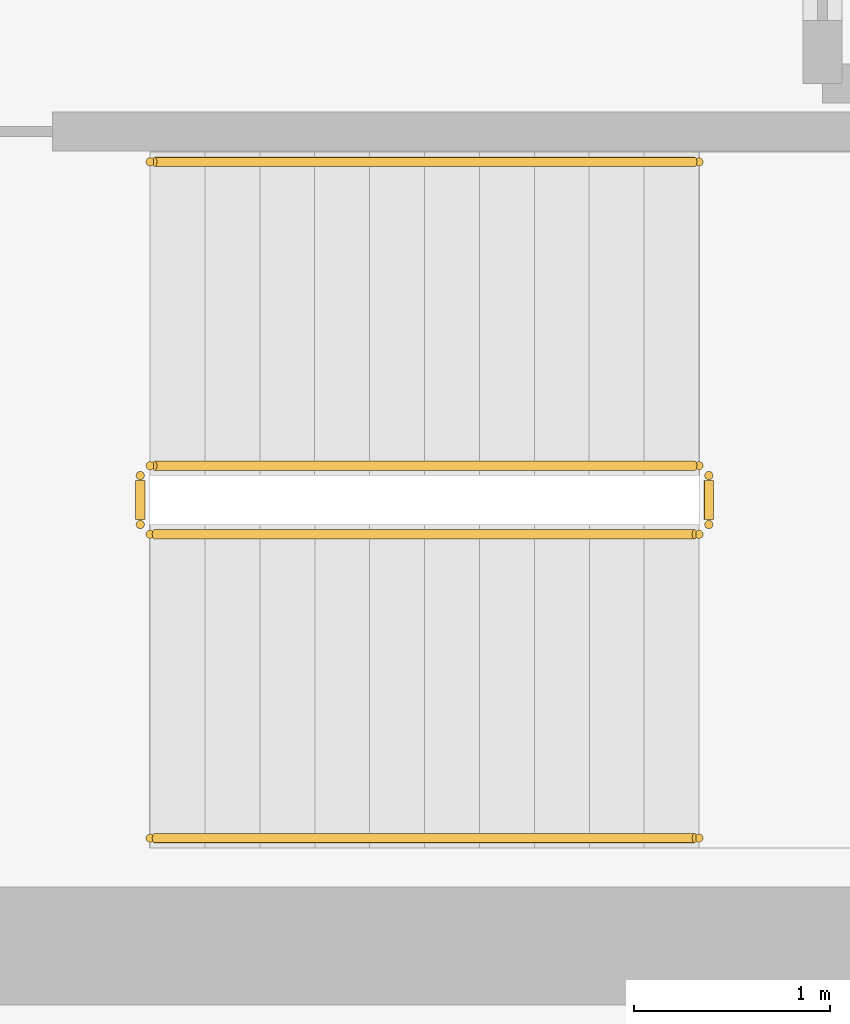
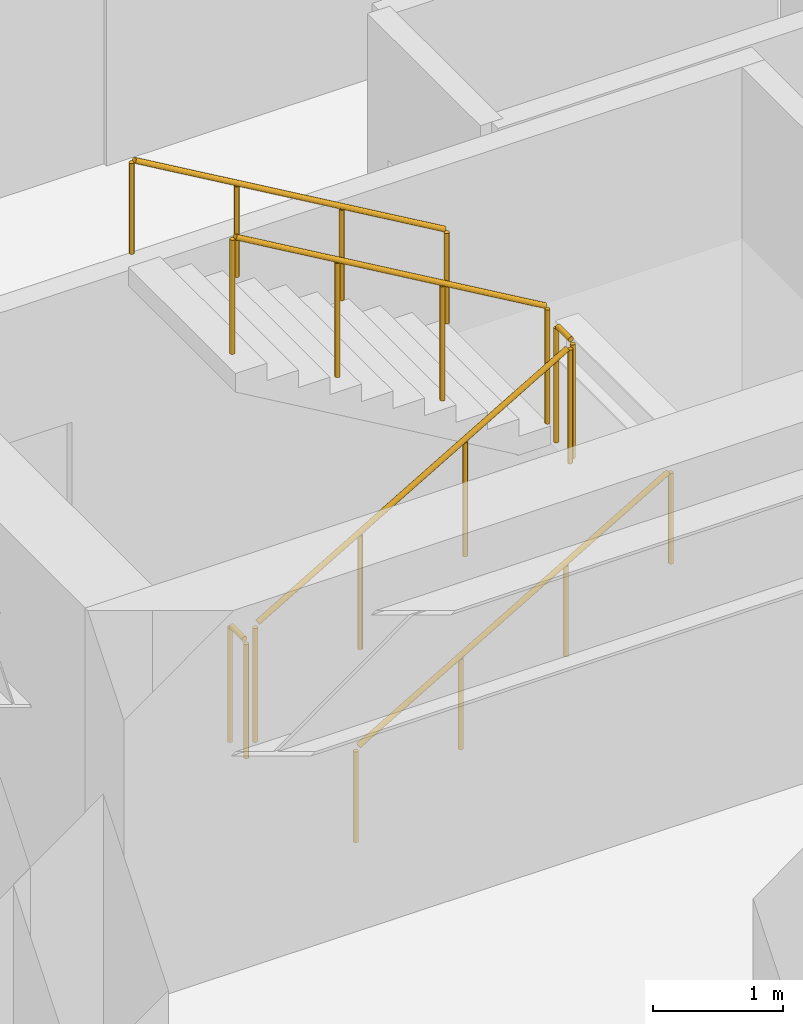
# One storey, part 12 of 12: 6 railings.
"""IFC4 building model written with IfcOpenShell, lengths in metres."""

from ifc_helpers import new_model, si_unit, direction, frame, origin, origin_2d, place, context, subcontext, project, spatial, circle, extrude, source, transform, mapped, material, layer, layer_set, type_object, element, save


model = new_model("IFC4")

# Units and contexts
model_context = context("Model", 3, precision=1e-05, world=origin(), true_north=direction((0.0, 1.0)))
body_context = subcontext(model_context, "Body", "Model", "MODEL_VIEW")
ifc_project = project(units=[si_unit("LENGTHUNIT", "METRE"), si_unit("AREAUNIT", "SQUARE_METRE"), si_unit("VOLUMEUNIT", "CUBIC_METRE"), si_unit("PLANEANGLEUNIT", "RADIAN"), si_unit("MASSUNIT", "GRAM", prefix="KILO")], contexts=[model_context])

# Site, building, storey
site_placement = place(None, origin())
site = spatial("IfcSite", under=ifc_project, at=site_placement, CompositionType="ELEMENT")
building_placement = place(site_placement, origin())
building = spatial("IfcBuilding", under=site, at=building_placement, Name="Kharzan Plaza Tower", CompositionType="ELEMENT")
storey_placement = place(building_placement, frame((0.0, 0.0, 146.699951171875)))
storey = spatial("IfcBuildingStorey", under=building, at=storey_placement, Name="L39", CompositionType="ELEMENT", Elevation=146.699951171875)

# Railings
ifc_material_1 = material(Name="Painted Galvanized Architectural Steel", Category="steel")
ifc_layer_1 = layer(ifc_material_1, 0.074951171875)
ifc_layer_set_1 = layer_set([ifc_layer_1], Name="Painted Galvanized Architectural Steel")
railing_type_1 = type_object("IfcRailingType", Name="RL-GUARD-1120", PredefinedType="BALUSTRADE", material=ifc_layer_set_1)
shared_shape_1 = source(origin(), body_context, "Body", "SweptSolid", [
    extrude(circle(Radius=0.02392578125, at=origin_2d()), frame((0.0, 0.0263671875, 1.09619140625), z_axis=(0.0, 1.0, 0.0), x_axis=(-1.0, 0.0, 0.0)), (0.0, 0.0, 1.0), 0.197021484375),
    extrude(circle(Radius=0.02099609375, at=origin_2d()), origin(), (0.0, 0.0, 1.0), 1.072021484375),
    extrude(circle(Radius=0.02099609375, at=origin_2d()), frame((0.0, 0.25, 0.0)), (0.0, 0.0, 1.0), 1.072021484375),
])
for number, where, name in (
    (1, (41.10009765625, 6.64990234375, 1.800048828125), "L39 ST-3 stair guard 2"),
    (2, (38.199951171875, 6.64990234375, 0.0), "L39 ST-3 stair guard 4"),
):
    element("IfcRailing", number, at=place(storey_placement, frame(where)), inside=storey, type_object=railing_type_1, Name=name, PredefinedType="BALUSTRADE", context=body_context, shape_type="MappedRepresentation", body=[
        mapped(shared_shape_1, transform((0.0, 0.0, 0.0), x_axis=(1.0, 0.0, 0.0), y_axis=(0.0, 1.0, 0.0), z_axis=(0.0, 0.0, 1.0))),
    ])
shared_shape_2 = source(origin(), body_context, "Body", "SweptSolid", [
    extrude(circle(Radius=0.02392578125, at=origin_2d()), frame((0.02294921875, 0.0, 1.109375), z_axis=(0.863360870873, 0.0, 0.504586966384), x_axis=(0.0, 1.0, 0.0)), (0.0, 0.0, 1.0), 3.190185546875),
    extrude(circle(Radius=0.02099609375, at=origin_2d()), origin(), (0.0, 0.0, 1.0), 1.072021484375),
    extrude(circle(Radius=0.02099609375, at=origin_2d()), frame((0.933349609375, 0.0, 0.54541015625)), (0.0, 0.0, 1.0), 1.072021484375),
    extrude(circle(Radius=0.02099609375, at=origin_2d()), frame((1.86669921875, 0.0, 1.091064453125)), (0.0, 0.0, 1.0), 1.072021484375),
    extrude(circle(Radius=0.02099609375, at=origin_2d()), frame((2.800048828125, 0.0, 1.636474609375)), (0.0, 0.0, 1.0), 1.072021484375),
])
railing_1_placement = place(storey_placement, frame((38.25, 6.60009765625, 0.16357421875)))
element("IfcRailing", 3, at=railing_1_placement, inside=storey, type_object=railing_type_1, Name="L39 ST-3 stair guard 1", PredefinedType="BALUSTRADE", context=body_context, shape_type="MappedRepresentation", body=[
    mapped(shared_shape_2, transform((0.0, 0.0, 0.0), x_axis=(1.0, 0.0, 0.0), y_axis=(0.0, 1.0, 0.0), z_axis=(0.0, 0.0, 1.0))),
])
shared_shape_3 = source(origin(), body_context, "Body", "SweptSolid", [
    extrude(circle(Radius=0.02392578125, at=origin_2d()), frame((-0.02294921875, 0.0, 1.109375), z_axis=(-0.863360870873, 0.0, 0.504586966384), x_axis=(0.0, -1.0, 0.0)), (0.0, 0.0, 1.0), 3.190185546875),
    extrude(circle(Radius=0.02099609375, at=origin_2d()), origin(), (0.0, 0.0, 1.0), 1.072021484375),
    extrude(circle(Radius=0.02099609375, at=origin_2d()), frame((-0.933349609375, 0.0, 0.54541015625)), (0.0, 0.0, 1.0), 1.072021484375),
    extrude(circle(Radius=0.02099609375, at=origin_2d()), frame((-1.86669921875, 0.0, 1.091064453125)), (0.0, 0.0, 1.0), 1.072021484375),
    extrude(circle(Radius=0.02099609375, at=origin_2d()), frame((-2.800048828125, 0.0, 1.636474609375)), (0.0, 0.0, 1.0), 1.072021484375),
])
railing_2_placement = place(storey_placement, frame((41.050048828125, 6.949951171875, 1.963623046875)))
element("IfcRailing", 4, at=railing_2_placement, inside=storey, type_object=railing_type_1, Name="L39 ST-3 stair guard 3", PredefinedType="BALUSTRADE", context=body_context, shape_type="MappedRepresentation", body=[
    mapped(shared_shape_3, transform((0.0, 0.0, 0.0), x_axis=(1.0, 0.0, 0.0), y_axis=(0.0, 1.0, 0.0), z_axis=(0.0, 0.0, 1.0))),
])
ifc_material_2 = material(Name="Brushed Stainless Steel", Category="steel")
ifc_layer_2 = layer(ifc_material_2, 0.050048828125)
ifc_layer_set_2 = layer_set([ifc_layer_2], Name="Brushed Stainless Steel")
railing_type_2 = type_object("IfcRailingType", Name="RL-STAIR-HR920", PredefinedType="HANDRAIL", material=ifc_layer_set_2)
shared_shape_4 = source(origin(), body_context, "Body", "SweptSolid", [
    extrude(circle(Radius=0.02392578125, at=origin_2d()), frame((0.02294921875, 0.0, 0.88916015625), z_axis=(0.863360870873, 0.0, 0.504586966384), x_axis=(0.0, 1.0, 0.0)), (0.0, 0.0, 1.0), 3.190185546875),
    extrude(circle(Radius=0.02099609375, at=origin_2d()), origin(), (0.0, 0.0, 1.0), 0.851806640625),
    extrude(circle(Radius=0.02099609375, at=origin_2d()), frame((0.933349609375, 0.0, 0.54541015625)), (0.0, 0.0, 1.0), 0.851806640625),
    extrude(circle(Radius=0.02099609375, at=origin_2d()), frame((1.86669921875, 0.0, 1.091064453125)), (0.0, 0.0, 1.0), 0.851806640625),
    extrude(circle(Radius=0.02099609375, at=origin_2d()), frame((2.800048828125, 0.0, 1.636474609375)), (0.0, 0.0, 1.0), 0.851806640625),
])
railing_3_placement = place(storey_placement, frame((38.25, 5.050048828125, 0.16357421875)))
element("IfcRailing", 5, at=railing_3_placement, inside=storey, type_object=railing_type_2, Name="L39 ST-3 stair handrail 1", PredefinedType="HANDRAIL", context=body_context, shape_type="MappedRepresentation", body=[
    mapped(shared_shape_4, transform((0.0, 0.0, 0.0), x_axis=(1.0, 0.0, 0.0), y_axis=(0.0, 1.0, 0.0), z_axis=(0.0, 0.0, 1.0))),
])
shared_shape_5 = source(origin(), body_context, "Body", "SweptSolid", [
    extrude(circle(Radius=0.02392578125, at=origin_2d()), frame((-0.02294921875, 0.0, 0.88916015625), z_axis=(-0.863360870873, 0.0, 0.504586966384), x_axis=(0.0, -1.0, 0.0)), (0.0, 0.0, 1.0), 3.190185546875),
    extrude(circle(Radius=0.02099609375, at=origin_2d()), origin(), (0.0, 0.0, 1.0), 0.851806640625),
    extrude(circle(Radius=0.02099609375, at=origin_2d()), frame((-0.933349609375, 0.0, 0.54541015625)), (0.0, 0.0, 1.0), 0.851806640625),
    extrude(circle(Radius=0.02099609375, at=origin_2d()), frame((-1.86669921875, 0.0, 1.091064453125)), (0.0, 0.0, 1.0), 0.851806640625),
    extrude(circle(Radius=0.02099609375, at=origin_2d()), frame((-2.800048828125, 0.0, 1.636474609375)), (0.0, 0.0, 1.0), 0.851806640625),
])
railing_4_placement = place(storey_placement, frame((41.050048828125, 8.5, 1.963623046875)))
element("IfcRailing", 6, at=railing_4_placement, inside=storey, type_object=railing_type_2, Name="L39 ST-3 stair handrail 2", PredefinedType="HANDRAIL", context=body_context, shape_type="MappedRepresentation", body=[
    mapped(shared_shape_5, transform((0.0, 0.0, 0.0), x_axis=(1.0, 0.0, 0.0), y_axis=(0.0, 1.0, 0.0), z_axis=(0.0, 0.0, 1.0))),
])

save(model, "model.ifc")
